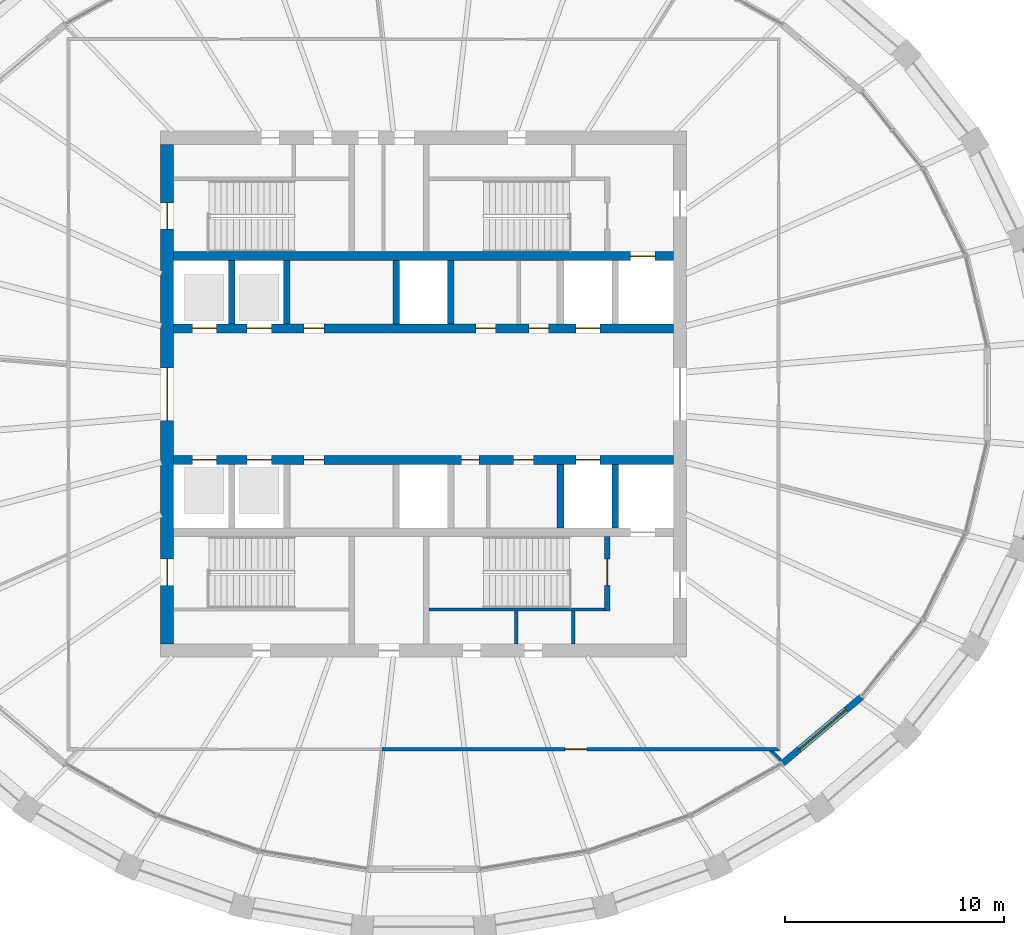
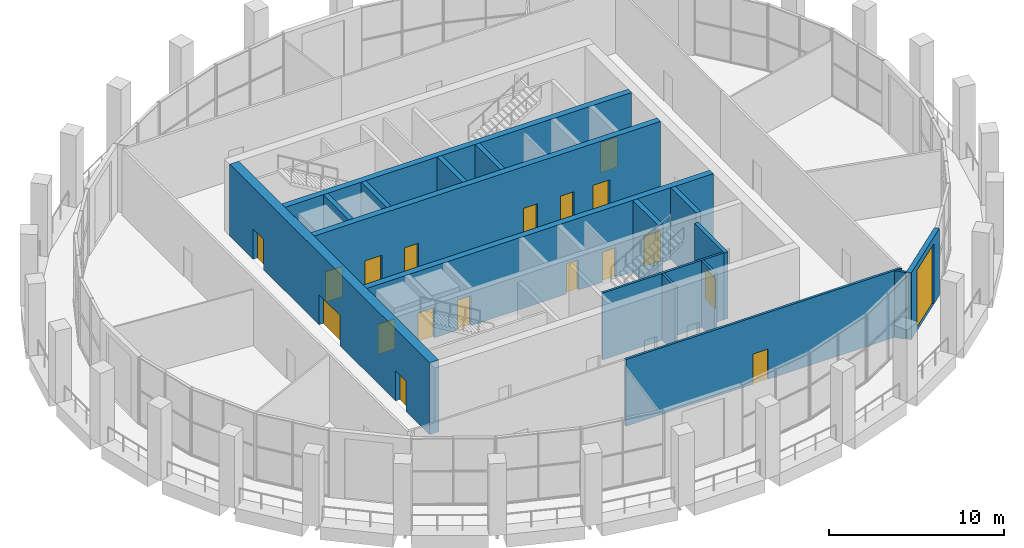
# One storey, part 11 of 16: 19 doors, 17 walls, 19 openings.
"""IFC4 building model written with IfcOpenShell, lengths in metres."""

from ifc_helpers import new_model, si_unit, direction, frame, frame_2d, origin, place, context, subcontext, project, spatial, polyline, rectangle, outline, extrude, material, layer, layer_set, type_object, element, fill, save


model = new_model("IFC4")

# Units and contexts
model_context = context("Model", 3, precision=1e-05, world=origin(), true_north=direction((0.0, 1.0)))
body_context = subcontext(model_context, "Body", "Model", "MODEL_VIEW")
ifc_project = project(units=[si_unit("LENGTHUNIT", "METRE"), si_unit("AREAUNIT", "SQUARE_METRE"), si_unit("VOLUMEUNIT", "CUBIC_METRE"), si_unit("PLANEANGLEUNIT", "RADIAN"), si_unit("MASSUNIT", "GRAM", prefix="KILO")], contexts=[model_context])

# Site, building, storey
site_placement = place(None, origin())
site = spatial("IfcSite", under=ifc_project, at=site_placement, CompositionType="ELEMENT")
building_placement = place(site_placement, origin())
building = spatial("IfcBuilding", under=site, at=building_placement, Name="Halqa Exchange Tower", CompositionType="ELEMENT")
storey_placement = place(building_placement, frame((0.0, 0.0, 333.300048828125)))
storey = spatial("IfcBuildingStorey", under=building, at=storey_placement, Name="L78", CompositionType="ELEMENT", Elevation=333.300048828125)

# Wall
ifc_material_1 = material(Name="Gypsum board")
ifc_layer_1 = layer(ifc_material_1, 0.14990234375)
ifc_layer_set_1 = layer_set([ifc_layer_1], Name="Gypsum board")
wall_type_1 = type_object("IfcWallType", Name="Acoustic partition 150", PredefinedType="PARTITIONING", material=ifc_layer_set_1)
wall_1_placement = place(storey_placement, frame((15.822265625, -16.222900390625, 0.0), z_axis=(0.0, 0.0, 1.0), x_axis=(0.697405440618, -0.71667681098, 0.0)))
element("IfcWall", 1, at=wall_1_placement, inside=storey, type_object=wall_type_1, Name="L78-PWL-014", PredefinedType="PARTITIONING", context=body_context, shape_type="SweptSolid", body=[
    extrude(outline(polyline([(0.67138671875, 0.074951171875), (0.145751953125, 0.074951171875), (0.0, -0.07470703125), (0.0, -0.074951171875), (0.67138671875, -0.074951171875), (0.67138671875, 0.074951171875)])), origin(), (0.0, 0.0, 1.0), 4.64990234375),
])

# Wall, opening, door
ifc_material_2 = material(Name="Fire-rated gypsum board")
ifc_layer_2 = layer(ifc_material_2, 0.14990234375)
ifc_layer_set_2 = layer_set([ifc_layer_2], Name="Fire-rated gypsum board")
wall_type_2 = type_object("IfcWallType", Name="Fire partition EI 60 150", PredefinedType="PARTITIONING", material=ifc_layer_set_2)
wall_2_placement = place(storey_placement, frame((-1.89990234375, -16.199951171875, 0.0), z_axis=(0.0, 0.0, 1.0), x_axis=(1.0, 0.0, 0.0)))
wall_2 = element("IfcWall", 2, at=wall_2_placement, inside=storey, type_object=wall_type_2, Name="L78-PWL-010", PredefinedType="PARTITIONING", context=body_context, shape_type="SweptSolid", body=[
    extrude(outline(polyline([(0.0, -0.074951171875), (1.8173828125, -0.074951171875), (3.635009765625, -0.074951171875), (5.452392578125, -0.074951171875), (7.27001953125, -0.074951171875), (9.08740234375, -0.074951171875), (10.90478515625, -0.074951171875), (12.722412109375, -0.074951171875), (14.539794921875, -0.074951171875), (16.357421875, -0.074951171875), (18.1748046875, -0.074951171875), (18.02490234375, 0.074951171875), (16.222412109375, 0.074951171875), (14.419921875, 0.074951171875), (12.617431640625, 0.074951171875), (10.81494140625, 0.074951171875), (9.012451171875, 0.074951171875), (7.2099609375, 0.074951171875), (5.407470703125, 0.074951171875), (3.60498046875, 0.074951171875), (1.802490234375, 0.074951171875), (0.0, 0.074951171875), (0.0, -0.074951171875)])), origin(), (0.0, 0.0, 1.0), 4.64990234375),
])
opening_1_placement = place(wall_2_placement, frame((8.35009765625, 0.0, 0.0)))
opening_1 = element("IfcOpeningElement", 3, at=opening_1_placement, cuts=wall_2, Name="Opening L78-05", PredefinedType="OPENING", context=body_context, shape_type="SweptSolid", body=[
    extrude(rectangle(XDim=1.0, YDim=2.10009765625, at=frame_2d((0.5, 1.050048828125))), frame((0.0, 0.0869140625, 0.0), z_axis=(0.0, -1.0, 0.0), x_axis=(1.0, 0.0, 0.0)), (0.0, 0.0, 1.0), 0.173828125),
])
ifc_material_3 = material(Name="Steel fire door leaf", Category="steel")
door_type_1 = type_object("IfcDoorType", Name="Fire door FD30S 1000 x 2100", OperationType="SINGLE_SWING_LEFT", PredefinedType="DOOR", material=ifc_material_3)
door_1_placement = place(opening_1_placement, frame((1.0, 0.0, 0.0), z_axis=(0.0, 0.0, 1.0), x_axis=(-1.0, 0.0, 0.0)))
door_1 = element("IfcDoor", 4, at=door_1_placement, inside=storey, type_object=door_type_1, Name="L78-IDR-005", OperationType="SINGLE_SWING_RIGHT", OverallHeight=2.10009765625, OverallWidth=1.0, PredefinedType="DOOR", context=body_context, shape_type="SweptSolid", body=[
    extrude(rectangle(XDim=1.0, YDim=2.10009765625, at=frame_2d((0.5, 1.050048828125))), frame((0.0, 0.02490234375, 0.0), z_axis=(0.0, -1.0, 0.0), x_axis=(1.0, 0.0, 0.0)), (0.0, 0.0, 1.0), 0.050048828125),
])
fill(opening_1, door_1)

# Walls
ifc_layer_3 = layer(ifc_material_1, 0.14990234375)
ifc_layer_set_3 = layer_set([ifc_layer_3], Name="Gypsum board")
wall_type_3 = type_object("IfcWallType", Name="Penthouse riser wall 150 gypsum", PredefinedType="PARTITIONING", material=ifc_layer_set_3)
for number, where, z_axis, x_axis, name in (
    (5, (4.22509765625, -11.39990234375, 0.0), (0.0, 0.0, 1.0), (0.0, 1.0, 0.0), "Partition E4.225 S"),
    (6, (6.824951171875, -11.39990234375, 0.0), (0.0, 0.0, 1.0), (0.0, 1.0, 0.0), "Firefighting lobby west wall S"),
):
    element("IfcWall", number, at=place(storey_placement, frame(where, z_axis=z_axis, x_axis=x_axis)), inside=storey, type_object=wall_type_3, Name=name, PredefinedType="PARTITIONING", context=body_context, shape_type="SweptSolid", body=[
        extrude(rectangle(XDim=1.5, YDim=0.14990234375, at=frame_2d((0.75, 0.0))), origin(), (0.0, 0.0, 1.0), 4.64990234375),
    ])
ifc_material_4 = material(Name="Concrete C60/75", Category="concrete")
ifc_layer_4 = layer(ifc_material_4, 0.300048828125)
ifc_layer_set_4 = layer_set([ifc_layer_4], Name="Concrete C60/75")
wall_type_4 = type_object("IfcWallType", Name="RC core wall 300", PredefinedType="SHEAR", material=ifc_layer_set_4)
for number, where, z_axis, x_axis, name in (
    (7, (-8.75, 3.199951171875, 0.0), (0.0, 0.0, 1.0), (0.0, 1.0, 0.0), "Shaft divider N1"),
    (8, (-6.25, 3.199951171875, 0.0), (0.0, 0.0, 1.0), (0.0, 1.0, 0.0), "Shaft divider N2"),
    (9, (-1.25, 3.199951171875, 0.0), (0.0, 0.0, 1.0), (0.0, 1.0, 0.0), "Shaft divider N4"),
    (10, (1.25, 3.199951171875, 0.0), (0.0, 0.0, 1.0), (0.0, 1.0, 0.0), "Shaft divider N5"),
    (11, (6.25, -6.10009765625, 0.0), (0.0, 0.0, 1.0), (0.0, 1.0, 0.0), "Shaft divider S7"),
    (12, (8.75, -6.10009765625, 0.0), (0.0, 0.0, 1.0), (0.0, 1.0, 0.0), "Shaft divider S8"),
):
    element("IfcWall", number, at=place(storey_placement, frame(where, z_axis=z_axis, x_axis=x_axis)), inside=storey, type_object=wall_type_4, Name=name, PredefinedType="SHEAR", context=body_context, shape_type="SweptSolid", body=[
        extrude(rectangle(XDim=2.900146484375, YDim=0.300048828125, at=frame_2d((1.4501953125, 0.0))), origin(), (0.0, 0.0, 1.0), 5.0),
    ])

# Wall, openings, doors
ifc_layer_5 = layer(ifc_material_4, 0.39990234375)
ifc_layer_set_5 = layer_set([ifc_layer_5], Name="Concrete C60/75")
wall_type_5 = type_object("IfcWallType", Name="RC core wall 400 C60/75", PredefinedType="SHEAR", material=ifc_layer_set_5)
wall_3_placement = place(storey_placement, frame((-11.39990234375, 3.0, 0.0), z_axis=(0.0, 0.0, 1.0), x_axis=(1.0, 0.0, 0.0)))
wall_3 = element("IfcWall", 13, at=wall_3_placement, inside=storey, type_object=wall_type_5, Name="Lift row front wall N", PredefinedType="SHEAR", context=body_context, shape_type="SweptSolid", body=[
    extrude(rectangle(XDim=22.7998046875, YDim=0.39990234375, at=frame_2d((11.39990234375, 0.0))), origin(), (0.0, 0.0, 1.0), 5.0),
])
opening_2_placement = place(wall_3_placement, frame((0.85009765625, 0.0, 0.0)))
opening_2 = element("IfcOpeningElement", 14, at=opening_2_placement, cuts=wall_3, Name="Opening LD-HR1-L78", PredefinedType="OPENING", context=body_context, shape_type="SweptSolid", body=[
    extrude(rectangle(XDim=1.10009765625, YDim=2.10009765625, at=frame_2d((0.550048828125, 1.050048828125))), frame((0.0, 0.2119140625, 0.0), z_axis=(0.0, -1.0, 0.0), x_axis=(1.0, 0.0, 0.0)), (0.0, 0.0, 1.0), 0.423828125),
])
opening_3_placement = place(wall_3_placement, frame((3.35009765625, 0.0, 0.0)))
opening_3 = element("IfcOpeningElement", 15, at=opening_3_placement, cuts=wall_3, Name="Opening LD-HR2-L78", PredefinedType="OPENING", context=body_context, shape_type="SweptSolid", body=[
    extrude(rectangle(XDim=1.10009765625, YDim=2.10009765625, at=frame_2d((0.550048828125, 1.050048828125))), frame((0.0, 0.2119140625, 0.0), z_axis=(0.0, -1.0, 0.0), x_axis=(1.0, 0.0, 0.0)), (0.0, 0.0, 1.0), 0.423828125),
])
opening_4_placement = place(wall_3_placement, frame((18.35009765625, 0.0, 0.0)))
opening_4 = element("IfcOpeningElement", 16, at=opening_4_placement, cuts=wall_3, Name="Opening LD-SV1-L78", PredefinedType="OPENING", context=body_context, shape_type="SweptSolid", body=[
    extrude(rectangle(XDim=1.10009765625, YDim=2.10009765625, at=frame_2d((0.550048828125, 1.050048828125))), frame((0.0, 0.2119140625, 0.0), z_axis=(0.0, -1.0, 0.0), x_axis=(1.0, 0.0, 0.0)), (0.0, 0.0, 1.0), 0.423828125),
])
opening_5_placement = place(wall_3_placement, frame((13.78759765625, 0.0, 0.0)))
opening_5 = element("IfcOpeningElement", 17, at=opening_5_placement, cuts=wall_3, Name="Opening L78-C26", PredefinedType="OPENING", context=body_context, shape_type="SweptSolid", body=[
    extrude(rectangle(XDim=0.89990234375, YDim=2.10009765625, at=frame_2d((0.449951171875, 1.050048828125))), frame((0.0, 0.2119140625, 0.0), z_axis=(0.0, -1.0, 0.0), x_axis=(1.0, 0.0, 0.0)), (0.0, 0.0, 1.0), 0.423828125),
])
opening_6_placement = place(wall_3_placement, frame((16.21240234375, 0.0, 0.0)))
opening_6 = element("IfcOpeningElement", 18, at=opening_6_placement, cuts=wall_3, Name="Opening L78-C27", PredefinedType="OPENING", context=body_context, shape_type="SweptSolid", body=[
    extrude(rectangle(XDim=0.89990234375, YDim=2.10009765625, at=frame_2d((0.449951171875, 1.050048828125))), frame((0.0, 0.2119140625, 0.0), z_axis=(0.0, -1.0, 0.0), x_axis=(1.0, 0.0, 0.0)), (0.0, 0.0, 1.0), 0.423828125),
])
opening_7_placement = place(wall_3_placement, frame((5.949951171875, 0.0, 0.0)))
opening_7 = element("IfcOpeningElement", 19, at=opening_7_placement, cuts=wall_3, Name="Opening L78-C28", PredefinedType="OPENING", context=body_context, shape_type="SweptSolid", body=[
    extrude(rectangle(XDim=0.89990234375, YDim=2.10009765625, at=frame_2d((0.449951171875, 1.050048828125))), frame((0.0, 0.2119140625, 0.0), z_axis=(0.0, -1.0, 0.0), x_axis=(1.0, 0.0, 0.0)), (0.0, 0.0, 1.0), 0.423828125),
])
ifc_material_5 = material(Name="Timber fire door leaf", Category="wood")
door_type_2 = type_object("IfcDoorType", Name="Core room door FD30 900 x 2100", OperationType="SINGLE_SWING_LEFT", PredefinedType="DOOR", material=ifc_material_5)
door_2_placement = place(opening_5_placement, origin())
door_2 = element("IfcDoor", 20, at=door_2_placement, inside=storey, type_object=door_type_2, Name="Core room door", OperationType="SINGLE_SWING_LEFT", OverallHeight=2.10009765625, OverallWidth=0.89990234375, PredefinedType="DOOR", context=body_context, shape_type="SweptSolid", body=[
    extrude(rectangle(XDim=0.89990234375, YDim=2.10009765625, at=frame_2d((0.449951171875, 1.050048828125))), frame((0.0, 0.02490234375, 0.0), z_axis=(0.0, -1.0, 0.0), x_axis=(1.0, 0.0, 0.0)), (0.0, 0.0, 1.0), 0.050048828125),
])
fill(opening_5, door_2)
door_3_placement = place(opening_6_placement, origin())
door_3 = element("IfcDoor", 21, at=door_3_placement, inside=storey, type_object=door_type_2, Name="Core room door", OperationType="SINGLE_SWING_LEFT", OverallHeight=2.10009765625, OverallWidth=0.89990234375, PredefinedType="DOOR", context=body_context, shape_type="SweptSolid", body=[
    extrude(rectangle(XDim=0.89990234375, YDim=2.10009765625, at=frame_2d((0.449951171875, 1.050048828125))), frame((0.0, 0.02490234375, 0.0), z_axis=(0.0, -1.0, 0.0), x_axis=(1.0, 0.0, 0.0)), (0.0, 0.0, 1.0), 0.050048828125),
])
fill(opening_6, door_3)
door_4_placement = place(opening_7_placement, origin())
door_4 = element("IfcDoor", 22, at=door_4_placement, inside=storey, type_object=door_type_2, Name="Core room door", OperationType="SINGLE_SWING_RIGHT", OverallHeight=2.10009765625, OverallWidth=0.89990234375, PredefinedType="DOOR", context=body_context, shape_type="SweptSolid", body=[
    extrude(rectangle(XDim=0.89990234375, YDim=2.10009765625, at=frame_2d((0.449951171875, 1.050048828125))), frame((0.0, 0.02490234375, 0.0), z_axis=(0.0, -1.0, 0.0), x_axis=(1.0, 0.0, 0.0)), (0.0, 0.0, 1.0), 0.050048828125),
])
fill(opening_7, door_4)
ifc_material_6 = material(Name="Stainless steel", Category="steel")
door_type_3 = type_object("IfcDoorType", Name="Lift landing door 1100 x 2100", OperationType="SLIDING_TO_LEFT", PredefinedType="DOOR", material=ifc_material_6)
door_5_placement = place(opening_2_placement, origin())
door_5 = element("IfcDoor", 23, at=door_5_placement, inside=storey, type_object=door_type_3, Name="Lift landing door HR1", OperationType="SLIDING_TO_LEFT", OverallHeight=2.10009765625, OverallWidth=1.10009765625, PredefinedType="DOOR", context=body_context, shape_type="SweptSolid", body=[
    extrude(rectangle(XDim=1.10009765625, YDim=2.10009765625, at=frame_2d((0.550048828125, 1.050048828125))), frame((0.0, 0.02490234375, 0.0), z_axis=(0.0, -1.0, 0.0), x_axis=(1.0, 0.0, 0.0)), (0.0, 0.0, 1.0), 0.050048828125),
])
fill(opening_2, door_5)
door_6_placement = place(opening_3_placement, origin())
door_6 = element("IfcDoor", 24, at=door_6_placement, inside=storey, type_object=door_type_3, Name="Lift landing door HR2", OperationType="SLIDING_TO_LEFT", OverallHeight=2.10009765625, OverallWidth=1.10009765625, PredefinedType="DOOR", context=body_context, shape_type="SweptSolid", body=[
    extrude(rectangle(XDim=1.10009765625, YDim=2.10009765625, at=frame_2d((0.550048828125, 1.050048828125))), frame((0.0, 0.02490234375, 0.0), z_axis=(0.0, -1.0, 0.0), x_axis=(1.0, 0.0, 0.0)), (0.0, 0.0, 1.0), 0.050048828125),
])
fill(opening_3, door_6)
door_7_placement = place(opening_4_placement, origin())
door_7 = element("IfcDoor", 25, at=door_7_placement, inside=storey, type_object=door_type_3, Name="Lift landing door SV1", OperationType="SLIDING_TO_LEFT", OverallHeight=2.10009765625, OverallWidth=1.10009765625, PredefinedType="DOOR", context=body_context, shape_type="SweptSolid", body=[
    extrude(rectangle(XDim=1.10009765625, YDim=2.10009765625, at=frame_2d((0.550048828125, 1.050048828125))), frame((0.0, 0.02490234375, 0.0), z_axis=(0.0, -1.0, 0.0), x_axis=(1.0, 0.0, 0.0)), (0.0, 0.0, 1.0), 0.050048828125),
])
fill(opening_4, door_7)

# Wall, opening, door
wall_4_placement = place(storey_placement, frame((-11.39990234375, 6.300048828125, 0.0), z_axis=(0.0, 0.0, 1.0), x_axis=(1.0, 0.0, 0.0)))
wall_4 = element("IfcWall", 26, at=wall_4_placement, inside=storey, type_object=wall_type_5, Name="Lift row back wall N", PredefinedType="SHEAR", context=body_context, shape_type="SweptSolid", body=[
    extrude(rectangle(XDim=22.7998046875, YDim=0.39990234375, at=frame_2d((11.39990234375, 0.0))), origin(), (0.0, 0.0, 1.0), 5.0),
])
opening_8_placement = place(wall_4_placement, frame((20.85009765625, 0.0, 0.0)))
opening_8 = element("IfcOpeningElement", 27, at=opening_8_placement, cuts=wall_4, Name="Opening LD-FF1-L78", PredefinedType="OPENING", context=body_context, shape_type="SweptSolid", body=[
    extrude(rectangle(XDim=1.10009765625, YDim=2.10009765625, at=frame_2d((0.550048828125, 1.050048828125))), frame((0.0, 0.2119140625, 0.0), z_axis=(0.0, -1.0, 0.0), x_axis=(1.0, 0.0, 0.0)), (0.0, 0.0, 1.0), 0.423828125),
])
door_8_placement = place(opening_8_placement, origin())
door_8 = element("IfcDoor", 28, at=door_8_placement, inside=storey, type_object=door_type_3, Name="Lift landing door FF1", OperationType="SLIDING_TO_LEFT", OverallHeight=2.10009765625, OverallWidth=1.10009765625, PredefinedType="DOOR", context=body_context, shape_type="SweptSolid", body=[
    extrude(rectangle(XDim=1.10009765625, YDim=2.10009765625, at=frame_2d((0.550048828125, 1.050048828125))), frame((0.0, 0.02490234375, 0.0), z_axis=(0.0, -1.0, 0.0), x_axis=(1.0, 0.0, 0.0)), (0.0, 0.0, 1.0), 0.050048828125),
])
fill(opening_8, door_8)

# Wall, openings, doors
wall_5_placement = place(storey_placement, frame((-11.39990234375, -3.0, 0.0), z_axis=(0.0, 0.0, 1.0), x_axis=(1.0, 0.0, 0.0)))
wall_5 = element("IfcWall", 29, at=wall_5_placement, inside=storey, type_object=wall_type_5, Name="Lift row front wall S", PredefinedType="SHEAR", context=body_context, shape_type="SweptSolid", body=[
    extrude(rectangle(XDim=22.7998046875, YDim=0.39990234375, at=frame_2d((11.39990234375, 0.0))), origin(), (0.0, 0.0, 1.0), 5.0),
])
opening_9_placement = place(wall_5_placement, frame((0.85009765625, 0.0, 0.0)))
opening_9 = element("IfcOpeningElement", 30, at=opening_9_placement, cuts=wall_5, Name="Opening LD-HR3-L78", PredefinedType="OPENING", context=body_context, shape_type="SweptSolid", body=[
    extrude(rectangle(XDim=1.10009765625, YDim=2.10009765625, at=frame_2d((0.550048828125, 1.050048828125))), frame((0.0, 0.2119140625, 0.0), z_axis=(0.0, -1.0, 0.0), x_axis=(1.0, 0.0, 0.0)), (0.0, 0.0, 1.0), 0.423828125),
])
opening_10_placement = place(wall_5_placement, frame((3.35009765625, 0.0, 0.0)))
opening_10 = element("IfcOpeningElement", 31, at=opening_10_placement, cuts=wall_5, Name="Opening LD-HR4-L78", PredefinedType="OPENING", context=body_context, shape_type="SweptSolid", body=[
    extrude(rectangle(XDim=1.10009765625, YDim=2.10009765625, at=frame_2d((0.550048828125, 1.050048828125))), frame((0.0, 0.2119140625, 0.0), z_axis=(0.0, -1.0, 0.0), x_axis=(1.0, 0.0, 0.0)), (0.0, 0.0, 1.0), 0.423828125),
])
opening_11_placement = place(wall_5_placement, frame((18.35009765625, 0.0, 0.0)))
opening_11 = element("IfcOpeningElement", 32, at=opening_11_placement, cuts=wall_5, Name="Opening LD-SV2-L78", PredefinedType="OPENING", context=body_context, shape_type="SweptSolid", body=[
    extrude(rectangle(XDim=1.10009765625, YDim=2.10009765625, at=frame_2d((0.550048828125, 1.050048828125))), frame((0.0, 0.2119140625, 0.0), z_axis=(0.0, -1.0, 0.0), x_axis=(1.0, 0.0, 0.0)), (0.0, 0.0, 1.0), 0.423828125),
])
opening_12_placement = place(wall_5_placement, frame((13.137451171875, 0.0, 0.0)))
opening_12 = element("IfcOpeningElement", 33, at=opening_12_placement, cuts=wall_5, Name="Opening L78-C29", PredefinedType="OPENING", context=body_context, shape_type="SweptSolid", body=[
    extrude(rectangle(XDim=0.800048828125, YDim=2.10009765625, at=frame_2d((0.39990234375, 1.050048828125))), frame((0.0, 0.2119140625, 0.0), z_axis=(0.0, -1.0, 0.0), x_axis=(1.0, 0.0, 0.0)), (0.0, 0.0, 1.0), 0.423828125),
])
opening_13_placement = place(wall_5_placement, frame((15.512451171875, 0.0, 0.0)))
opening_13 = element("IfcOpeningElement", 34, at=opening_13_placement, cuts=wall_5, Name="Opening L78-C30", PredefinedType="OPENING", context=body_context, shape_type="SweptSolid", body=[
    extrude(rectangle(XDim=0.89990234375, YDim=2.10009765625, at=frame_2d((0.449951171875, 1.050048828125))), frame((0.0, 0.2119140625, 0.0), z_axis=(0.0, -1.0, 0.0), x_axis=(1.0, 0.0, 0.0)), (0.0, 0.0, 1.0), 0.423828125),
])
opening_14_placement = place(wall_5_placement, frame((5.949951171875, 0.0, 0.0)))
opening_14 = element("IfcOpeningElement", 35, at=opening_14_placement, cuts=wall_5, Name="Opening L78-C31", PredefinedType="OPENING", context=body_context, shape_type="SweptSolid", body=[
    extrude(rectangle(XDim=0.89990234375, YDim=2.10009765625, at=frame_2d((0.449951171875, 1.050048828125))), frame((0.0, 0.2119140625, 0.0), z_axis=(0.0, -1.0, 0.0), x_axis=(1.0, 0.0, 0.0)), (0.0, 0.0, 1.0), 0.423828125),
])
door_9_placement = place(opening_13_placement, frame((0.89990234375, 0.0, 0.0), z_axis=(0.0, 0.0, 1.0), x_axis=(-1.0, 0.0, 0.0)))
door_9 = element("IfcDoor", 36, at=door_9_placement, inside=storey, type_object=door_type_2, Name="Core room door", OperationType="SINGLE_SWING_RIGHT", OverallHeight=2.10009765625, OverallWidth=0.89990234375, PredefinedType="DOOR", context=body_context, shape_type="SweptSolid", body=[
    extrude(rectangle(XDim=0.89990234375, YDim=2.10009765625, at=frame_2d((0.449951171875, 1.050048828125))), frame((0.0, 0.02490234375, 0.0), z_axis=(0.0, -1.0, 0.0), x_axis=(1.0, 0.0, 0.0)), (0.0, 0.0, 1.0), 0.050048828125),
])
fill(opening_13, door_9)
door_10_placement = place(opening_14_placement, frame((0.89990234375, 0.0, 0.0), z_axis=(0.0, 0.0, 1.0), x_axis=(-1.0, 0.0, 0.0)))
door_10 = element("IfcDoor", 37, at=door_10_placement, inside=storey, type_object=door_type_2, Name="Core room door", OperationType="SINGLE_SWING_LEFT", OverallHeight=2.10009765625, OverallWidth=0.89990234375, PredefinedType="DOOR", context=body_context, shape_type="SweptSolid", body=[
    extrude(rectangle(XDim=0.89990234375, YDim=2.10009765625, at=frame_2d((0.449951171875, 1.050048828125))), frame((0.0, 0.02490234375, 0.0), z_axis=(0.0, -1.0, 0.0), x_axis=(1.0, 0.0, 0.0)), (0.0, 0.0, 1.0), 0.050048828125),
])
fill(opening_14, door_10)
door_11_placement = place(opening_9_placement, origin())
door_11 = element("IfcDoor", 38, at=door_11_placement, inside=storey, type_object=door_type_3, Name="Lift landing door HR3", OperationType="SLIDING_TO_LEFT", OverallHeight=2.10009765625, OverallWidth=1.10009765625, PredefinedType="DOOR", context=body_context, shape_type="SweptSolid", body=[
    extrude(rectangle(XDim=1.10009765625, YDim=2.10009765625, at=frame_2d((0.550048828125, 1.050048828125))), frame((0.0, 0.02490234375, 0.0), z_axis=(0.0, -1.0, 0.0), x_axis=(1.0, 0.0, 0.0)), (0.0, 0.0, 1.0), 0.050048828125),
])
fill(opening_9, door_11)
door_12_placement = place(opening_10_placement, origin())
door_12 = element("IfcDoor", 39, at=door_12_placement, inside=storey, type_object=door_type_3, Name="Lift landing door HR4", OperationType="SLIDING_TO_LEFT", OverallHeight=2.10009765625, OverallWidth=1.10009765625, PredefinedType="DOOR", context=body_context, shape_type="SweptSolid", body=[
    extrude(rectangle(XDim=1.10009765625, YDim=2.10009765625, at=frame_2d((0.550048828125, 1.050048828125))), frame((0.0, 0.02490234375, 0.0), z_axis=(0.0, -1.0, 0.0), x_axis=(1.0, 0.0, 0.0)), (0.0, 0.0, 1.0), 0.050048828125),
])
fill(opening_10, door_12)
door_13_placement = place(opening_11_placement, origin())
door_13 = element("IfcDoor", 40, at=door_13_placement, inside=storey, type_object=door_type_3, Name="Lift landing door SV2", OperationType="SLIDING_TO_LEFT", OverallHeight=2.10009765625, OverallWidth=1.10009765625, PredefinedType="DOOR", context=body_context, shape_type="SweptSolid", body=[
    extrude(rectangle(XDim=1.10009765625, YDim=2.10009765625, at=frame_2d((0.550048828125, 1.050048828125))), frame((0.0, 0.02490234375, 0.0), z_axis=(0.0, -1.0, 0.0), x_axis=(1.0, 0.0, 0.0)), (0.0, 0.0, 1.0), 0.050048828125),
])
fill(opening_11, door_13)
door_type_4 = type_object("IfcDoorType", Name="Riser door FD60 800 x 2100", OperationType="SINGLE_SWING_LEFT", PredefinedType="DOOR", material=ifc_material_3)
door_14_placement = place(opening_12_placement, frame((0.800048828125, 0.0, 0.0), z_axis=(0.0, 0.0, 1.0), x_axis=(-1.0, 0.0, 0.0)))
door_14 = element("IfcDoor", 41, at=door_14_placement, inside=storey, type_object=door_type_4, Name="Core room door", OperationType="SINGLE_SWING_LEFT", OverallHeight=2.10009765625, OverallWidth=0.800048828125, PredefinedType="DOOR", context=body_context, shape_type="SweptSolid", body=[
    extrude(rectangle(XDim=0.800048828125, YDim=2.10009765625, at=frame_2d((0.39990234375, 1.050048828125))), frame((0.0, 0.02490234375, 0.0), z_axis=(0.0, -1.0, 0.0), x_axis=(1.0, 0.0, 0.0)), (0.0, 0.0, 1.0), 0.050048828125),
])
fill(opening_12, door_14)

ifc_layer_6 = layer(ifc_material_4, 0.60009765625)
ifc_layer_set_6 = layer_set([ifc_layer_6], Name="Concrete C60/75")
wall_type_6 = type_object("IfcWallType", Name="RC core wall 600 C60/75", PredefinedType="SHEAR", material=ifc_layer_set_6)
wall_6_placement = place(storey_placement, frame((-11.699951171875, -11.39990234375, 0.0), z_axis=(0.0, 0.0, 1.0), x_axis=(0.0, 1.0, 0.0)))
wall_6 = element("IfcWall", 42, at=wall_6_placement, inside=storey, type_object=wall_type_6, Name="Core wall west", PredefinedType="SHEAR", context=body_context, shape_type="SweptSolid", body=[
    extrude(rectangle(XDim=22.7998046875, YDim=0.60009765625, at=frame_2d((11.39990234375, 0.0))), origin(), (0.0, 0.0, 1.0), 5.0),
])
opening_15_placement = place(wall_6_placement, frame((10.199951171875, 0.0, 0.0)))
opening_15 = element("IfcOpeningElement", 43, at=opening_15_placement, cuts=wall_6, Name="Opening L78-C09", PredefinedType="OPENING", context=body_context, shape_type="SweptSolid", body=[
    extrude(rectangle(XDim=2.39990234375, YDim=2.10009765625, at=frame_2d((1.199951171875, 1.050048828125))), frame((0.0, 0.31201171875, 0.0), z_axis=(0.0, -1.0, 0.0), x_axis=(1.0, 0.0, 0.0)), (0.0, 0.0, 1.0), 0.6240234375),
])
opening_16_placement = place(wall_6_placement, frame((18.925048828125, 0.0, 0.0)))
opening_16 = element("IfcOpeningElement", 44, at=opening_16_placement, cuts=wall_6, Name="Opening L78-C11", PredefinedType="OPENING", context=body_context, shape_type="SweptSolid", body=[
    extrude(rectangle(XDim=1.199951171875, YDim=2.10009765625, at=frame_2d((0.60009765625, 1.050048828125))), frame((0.0, 0.31201171875, 0.0), z_axis=(0.0, -1.0, 0.0), x_axis=(1.0, 0.0, 0.0)), (0.0, 0.0, 1.0), 0.6240234375),
])
opening_17_placement = place(wall_6_placement, frame((2.675048828125, 0.0, 0.0)))
opening_17 = element("IfcOpeningElement", 45, at=opening_17_placement, cuts=wall_6, Name="Opening L78-C13", PredefinedType="OPENING", context=body_context, shape_type="SweptSolid", body=[
    extrude(rectangle(XDim=1.199951171875, YDim=2.10009765625, at=frame_2d((0.60009765625, 1.050048828125))), frame((0.0, 0.31201171875, 0.0), z_axis=(0.0, -1.0, 0.0), x_axis=(1.0, 0.0, 0.0)), (0.0, 0.0, 1.0), 0.6240234375),
])
door_type_5 = type_object("IfcDoorType", Name="Lobby double door FD60 2400 x 2100", OperationType="DOUBLE_DOOR_SINGLE_SWING", PredefinedType="DOOR", material=ifc_material_3)
door_15_placement = place(opening_15_placement, frame((2.39990234375, 0.0, 0.0), z_axis=(0.0, 0.0, 1.0), x_axis=(-1.0, 0.0, 0.0)))
door_15 = element("IfcDoor", 46, at=door_15_placement, inside=storey, type_object=door_type_5, Name="Lift lobby double door", OperationType="DOUBLE_DOOR_SINGLE_SWING", OverallHeight=2.10009765625, OverallWidth=2.39990234375, PredefinedType="DOOR", context=body_context, shape_type="SweptSolid", body=[
    extrude(rectangle(XDim=2.39990234375, YDim=2.10009765625, at=frame_2d((1.199951171875, 1.050048828125))), frame((0.0, 0.02490234375, 0.0), z_axis=(0.0, -1.0, 0.0), x_axis=(1.0, 0.0, 0.0)), (0.0, 0.0, 1.0), 0.050048828125),
])
fill(opening_15, door_15)
door_type_6 = type_object("IfcDoorType", Name="Stair door FD90 1200 x 2100", OperationType="SINGLE_SWING_LEFT", PredefinedType="DOOR", material=ifc_material_3)
door_16_placement = place(opening_16_placement, frame((1.199951171875, 0.0, 0.0), z_axis=(0.0, 0.0, 1.0), x_axis=(-1.0, 0.0, 0.0)))
door_16 = element("IfcDoor", 47, at=door_16_placement, inside=storey, type_object=door_type_6, Name="Stair door ST1", OperationType="SINGLE_SWING_RIGHT", OverallHeight=2.10009765625, OverallWidth=1.199951171875, PredefinedType="DOOR", context=body_context, shape_type="SweptSolid", body=[
    extrude(rectangle(XDim=1.199951171875, YDim=2.10009765625, at=frame_2d((0.60009765625, 1.050048828125))), frame((0.0, 0.02490234375, 0.0), z_axis=(0.0, -1.0, 0.0), x_axis=(1.0, 0.0, 0.0)), (0.0, 0.0, 1.0), 0.050048828125),
])
fill(opening_16, door_16)
door_17_placement = place(opening_17_placement, frame((1.199951171875, 0.0, 0.0), z_axis=(0.0, 0.0, 1.0), x_axis=(-1.0, 0.0, 0.0)))
door_17 = element("IfcDoor", 48, at=door_17_placement, inside=storey, type_object=door_type_6, Name="Stair door ST3", OperationType="SINGLE_SWING_RIGHT", OverallHeight=2.10009765625, OverallWidth=1.199951171875, PredefinedType="DOOR", context=body_context, shape_type="SweptSolid", body=[
    extrude(rectangle(XDim=1.199951171875, YDim=2.10009765625, at=frame_2d((0.60009765625, 1.050048828125))), frame((0.0, 0.02490234375, 0.0), z_axis=(0.0, -1.0, 0.0), x_axis=(1.0, 0.0, 0.0)), (0.0, 0.0, 1.0), 0.050048828125),
])
fill(opening_17, door_17)

# Wall
ifc_material_7 = material(Name="Concrete C30/37", Category="concrete")
ifc_layer_7 = layer(ifc_material_7, 0.14990234375)
ifc_layer_set_7 = layer_set([ifc_layer_7], Name="Concrete C30/37")
wall_type_7 = type_object("IfcWallType", Name="RC stair wall 150 C30/37", PredefinedType="SHEAR", material=ifc_layer_set_7)
wall_7_placement = place(storey_placement, frame((0.25, -9.824951171875, 0.0), z_axis=(0.0, 0.0, 1.0), x_axis=(1.0, 0.0, 0.0)))
element("IfcWall", 49, at=wall_7_placement, inside=storey, type_object=wall_type_7, Name="Stair ST2 north wall S", PredefinedType="SHEAR", context=body_context, shape_type="SweptSolid", body=[
    extrude(rectangle(XDim=8.0, YDim=0.14990234375, at=frame_2d((4.0, 0.0))), origin(), (0.0, 0.0, 1.0), 4.64990234375),
])

# Wall, opening, door
ifc_layer_8 = layer(ifc_material_7, 0.25)
ifc_layer_set_8 = layer_set([ifc_layer_8], Name="Concrete C30/37")
wall_type_8 = type_object("IfcWallType", Name="RC stair wall 250 C30/37", PredefinedType="SHEAR", material=ifc_layer_set_8)
wall_8_placement = place(storey_placement, frame((8.375, -9.89990234375, 0.0), z_axis=(0.0, 0.0, 1.0), x_axis=(0.0, 1.0, 0.0)))
wall_8 = element("IfcWall", 50, at=wall_8_placement, inside=storey, type_object=wall_type_8, Name="Stair ST2 east wall S", PredefinedType="SHEAR", context=body_context, shape_type="SweptSolid", body=[
    extrude(rectangle(XDim=3.39990234375, YDim=0.25, at=frame_2d((1.699951171875, 0.0))), origin(), (0.0, 0.0, 1.0), 4.64990234375),
])
opening_18_placement = place(wall_8_placement, frame((1.175048828125, 0.0, 0.0)))
opening_18 = element("IfcOpeningElement", 51, at=opening_18_placement, cuts=wall_8, Name="Opening L78-C14", PredefinedType="OPENING", context=body_context, shape_type="SweptSolid", body=[
    extrude(rectangle(XDim=1.199951171875, YDim=2.10009765625, at=frame_2d((0.60009765625, 1.050048828125))), frame((0.0, 0.136962890625, 0.0), z_axis=(0.0, -1.0, 0.0), x_axis=(1.0, 0.0, 0.0)), (0.0, 0.0, 1.0), 0.27392578125),
])
door_18_placement = place(opening_18_placement, origin())
door_18 = element("IfcDoor", 52, at=door_18_placement, inside=storey, type_object=door_type_6, Name="Stair door ST4", OperationType="SINGLE_SWING_RIGHT", OverallHeight=2.10009765625, OverallWidth=1.199951171875, PredefinedType="DOOR", context=body_context, shape_type="SweptSolid", body=[
    extrude(rectangle(XDim=1.199951171875, YDim=2.10009765625, at=frame_2d((0.60009765625, 1.050048828125))), frame((0.0, 0.02490234375, 0.0), z_axis=(0.0, -1.0, 0.0), x_axis=(1.0, 0.0, 0.0)), (0.0, 0.0, 1.0), 0.050048828125),
])
fill(opening_18, door_18)

ifc_material_8 = material(Name="Limestone cladding", Category="masonry")
ifc_layer_9 = layer(ifc_material_8, 0.0400390625)
ifc_material_9 = material(Name="Ventilated cavity")
ifc_layer_10 = layer(ifc_material_9, 0.030029296875, ventilated=True)
ifc_material_10 = material(Name="Mineral wool insulation")
ifc_layer_11 = layer(ifc_material_10, 0.10009765625)
ifc_layer_12 = layer(ifc_material_7, 0.10009765625)
ifc_material_11 = material(Name="Internal plaster")
ifc_layer_13 = layer(ifc_material_11, 0.030029296875)
ifc_layer_set_9 = layer_set([ifc_layer_9, ifc_layer_10, ifc_layer_11, ifc_layer_12, ifc_layer_13], Name="Stone-faced insulated wall 300")
wall_type_9 = type_object("IfcWallType", Name="Stone-faced insulated wall 300", PredefinedType="STANDARD", material=ifc_layer_set_9)
wall_9_placement = place(storey_placement, frame((16.3896484375, -16.843017578125, 0.0), z_axis=(0.0, 0.0, 1.0), x_axis=(0.765128700347, 0.643877373344, 0.0)))
wall_9 = element("IfcWall", 53, at=wall_9_placement, inside=storey, type_object=wall_type_9, Name="Glass-line wall 28", PredefinedType="STANDARD", context=body_context, shape_type="SweptSolid", body=[
    extrude(outline(polyline([(0.0, -0.14990234375), (4.685546875, -0.14990234375), (4.685546875, 0.14990234375), (0.0, 0.14990234375), (0.0, -0.14990234375)])), origin(), (0.0, 0.0, 1.0), 4.64990234375),
])
opening_19_placement = place(wall_9_placement, frame((0.99267578125, 0.0, 0.0)))
opening_19 = element("IfcOpeningElement", 54, at=opening_19_placement, cuts=wall_9, Name="Opening LGS-F4-07", PredefinedType="OPENING", context=body_context, shape_type="SweptSolid", body=[
    extrude(rectangle(XDim=2.800048828125, YDim=4.199951171875, at=frame_2d((1.39990234375, 2.10009765625))), frame((0.0, 0.162109375, 0.0), z_axis=(0.0, -1.0, 0.0), x_axis=(1.0, 0.0, 0.0)), (0.0, 0.0, 1.0), 0.323974609375),
])
ifc_material_12 = material(Name="Clear low-emissivity glass in aluminium frame", Category="aluminium")
door_type_7 = type_object("IfcDoorType", Name="Glazed sliding balcony door 2800 x 4200", OperationType="DOUBLE_DOOR_SLIDING", PredefinedType="DOOR", material=ifc_material_12)
door_19_placement = place(opening_19_placement, origin())
door_19 = element("IfcDoor", 55, at=door_19_placement, inside=storey, type_object=door_type_7, Name="Loggia door 7", OperationType="DOUBLE_DOOR_SLIDING", OverallHeight=4.199951171875, OverallWidth=2.800048828125, PredefinedType="DOOR", context=body_context, shape_type="SweptSolid", body=[
    extrude(rectangle(XDim=2.800048828125, YDim=4.199951171875, at=frame_2d((1.39990234375, 2.10009765625))), frame((0.0, 0.02490234375, 0.0), z_axis=(0.0, -1.0, 0.0), x_axis=(1.0, 0.0, 0.0)), (0.0, 0.0, 1.0), 0.050048828125),
])
fill(opening_19, door_19)

save(model, "model.ifc")
